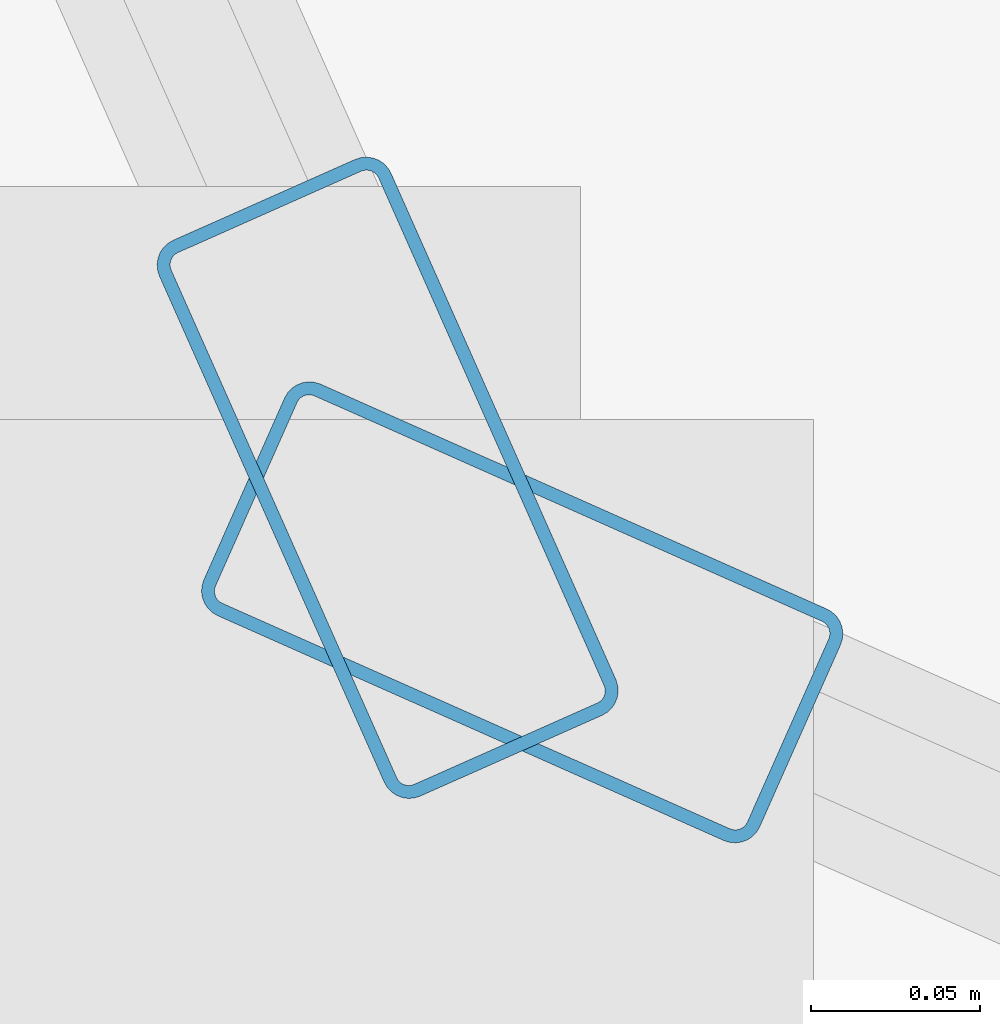
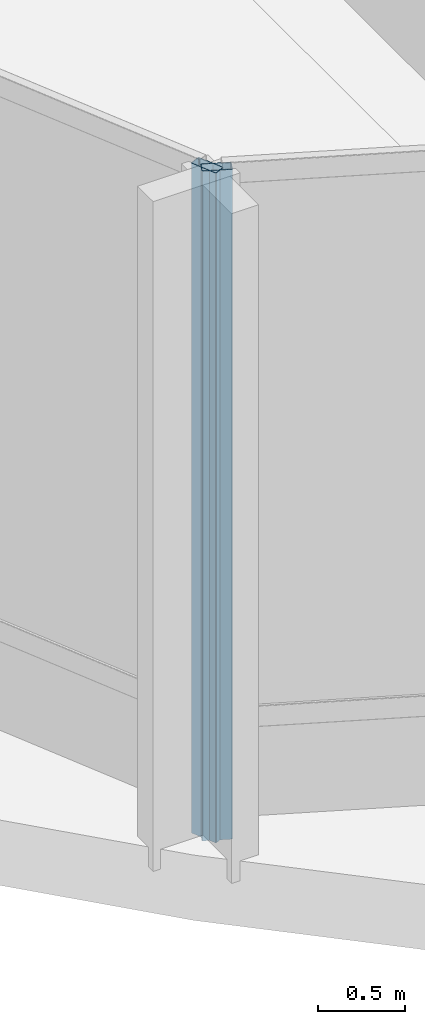
# One storey, part 2 of 39: 2 members, 2 elements without a shape of their own.
"""IFC4 building model written with IfcOpenShell, lengths in metres."""

from ifc_helpers import new_model, si_unit, direction, frame, origin, origin_2d, place, context, subcontext, project, spatial, hollow_rectangle, extrude, material, layer, layer_set, material_profile, profile_set, type_object, element, aggregate, save


model = new_model("IFC4")

# Units and contexts
model_context = context("Model", 3, precision=1e-05, world=origin(), true_north=direction((0.0, 1.0)))
body_context = subcontext(model_context, "Body", "Model", "MODEL_VIEW")
ifc_project = project(units=[si_unit("LENGTHUNIT", "METRE"), si_unit("AREAUNIT", "SQUARE_METRE"), si_unit("VOLUMEUNIT", "CUBIC_METRE"), si_unit("PLANEANGLEUNIT", "RADIAN"), si_unit("MASSUNIT", "GRAM", prefix="KILO")], contexts=[model_context])

# Site, building, storey
site_placement = place(None, origin())
site = spatial("IfcSite", under=ifc_project, at=site_placement, CompositionType="ELEMENT")
building_placement = place(site_placement, origin())
building = spatial("IfcBuilding", under=site, at=building_placement, Name="Solvaryn Broadcast Tower", CompositionType="ELEMENT")
storey_placement = place(building_placement, frame((0.0, 0.0, 84.10009765625)))
storey = spatial("IfcBuildingStorey", under=building, at=storey_placement, Name="L20", CompositionType="ELEMENT", Elevation=84.10009765625)

# Curtain wall, member
ifc_material_1 = material(Name="Aluminium and Terracotta Unitised Curtain Wall", Category="masonry")
ifc_layer = layer(ifc_material_1, 0.25)
ifc_layer_set = layer_set([ifc_layer], Name="CW-SYS4-SKYGARDEN")
curtain_wall_type = type_object("IfcCurtainWallType", Name="CW-SYS4-SKYGARDEN", PredefinedType="NOTDEFINED", material=ifc_layer_set)
curtain_wall_1_placement = place(storey_placement, origin())
curtain_wall_1 = element("IfcCurtainWall", 1, at=curtain_wall_1_placement, inside=storey, type_object=curtain_wall_type, Name="L20 Curtain Wall DR2", PredefinedType="NOTDEFINED")
ifc_material_2 = material(Name="Anodised Aluminium 6063-T6", Category="aluminium")
ifc_material_profile = material_profile(ifc_material_2, hollow_rectangle(XDim=0.074951171875, YDim=0.179931640625, WallThickness=0.00390625, InnerFilletRadius=0.00390625, OuterFilletRadius=0.008056640625, at=origin_2d()))
ifc_profile_set = profile_set([ifc_material_profile], Name="Anodised Aluminium 6063-T6")
member_type = type_object("IfcMemberType", Name="CW-MUL-180", PredefinedType="MULLION", material=ifc_profile_set)
member_1_placement = place(storey_placement, frame((7.834716796875, 7.87451171875, 0.0), z_axis=(0.0, 0.0, 1.0), x_axis=(0.913918257271, 0.405898286554, 0.0)))
member_1 = element("IfcMember", 2, at=member_1_placement, type_object=member_type, Name="CWS4 mullion 3", PredefinedType="MULLION", context=body_context, shape_type="SweptSolid", body=[
    extrude(hollow_rectangle(XDim=0.074951171875, YDim=0.179931640625, WallThickness=0.00390625, InnerFilletRadius=0.00390625, OuterFilletRadius=0.008056640625, at=origin_2d()), origin(), (0.0, 0.0, 1.0), 4.719970703125),
])
aggregate(curtain_wall_1, [member_1])

curtain_wall_2_placement = place(storey_placement, origin())
curtain_wall_2 = element("IfcCurtainWall", 3, at=curtain_wall_2_placement, inside=storey, type_object=curtain_wall_type, Name="L20 Curtain Wall DR3", PredefinedType="NOTDEFINED")
member_2_placement = place(storey_placement, frame((7.87451171875, 7.834716796875, 0.0), z_axis=(0.0, 0.0, 1.0), x_axis=(0.405898286554, 0.913918257271, 0.0)))
member_2 = element("IfcMember", 4, at=member_2_placement, type_object=member_type, Name="CWS4 mullion 1", PredefinedType="MULLION", context=body_context, shape_type="SweptSolid", body=[
    extrude(hollow_rectangle(XDim=0.074951171875, YDim=0.179931640625, WallThickness=0.00390625, InnerFilletRadius=0.00390625, OuterFilletRadius=0.008056640625, at=origin_2d()), origin(), (0.0, 0.0, 1.0), 4.719970703125),
])
aggregate(curtain_wall_2, [member_2])

save(model, "model.ifc")
